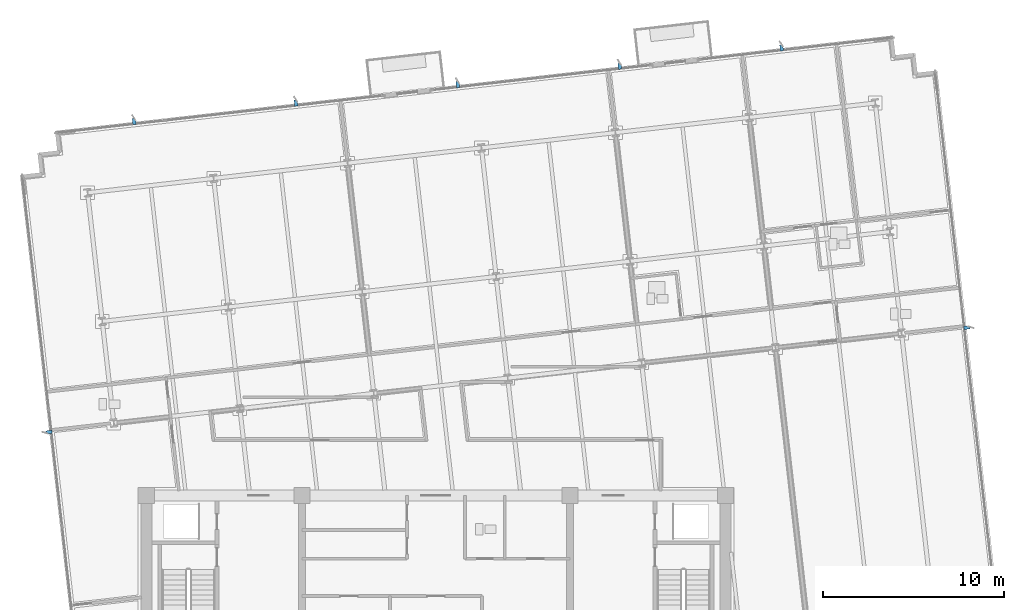
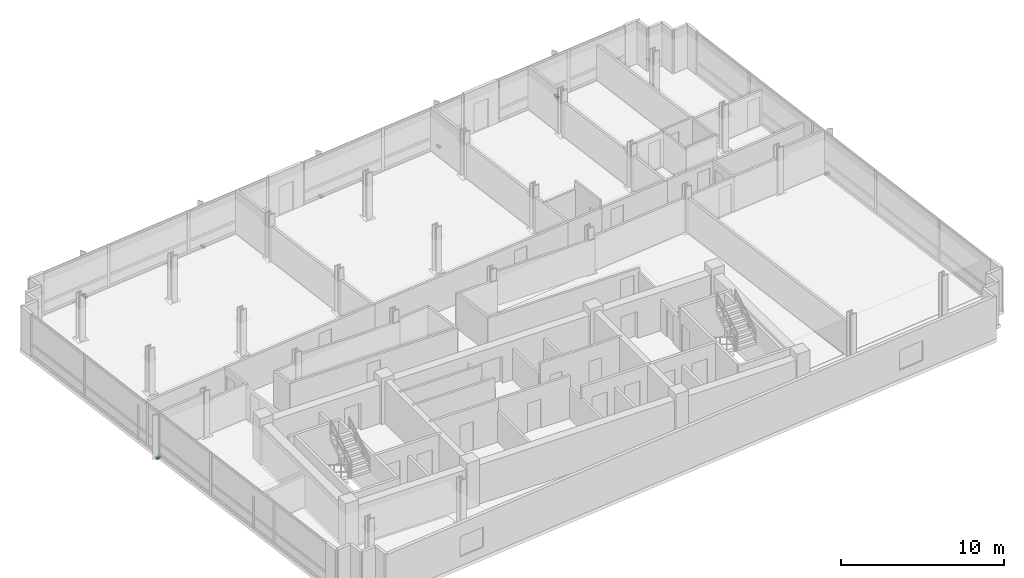
# One storey, part 11 of 16: 7 discrete accessories.
"""IFC4 building model written with IfcOpenShell, lengths in metres."""

from ifc_helpers import new_model, si_unit, direction, frame, origin, origin_2d, place, context, subcontext, project, spatial, rectangle, extrude, material, type_object, element, save


model = new_model("IFC4")

# Units and contexts
model_context = context("Model", 3, precision=1e-05, world=origin(), true_north=direction((0.0, 1.0)))
body_context = subcontext(model_context, "Body", "Model", "MODEL_VIEW")
ifc_project = project(units=[si_unit("LENGTHUNIT", "METRE"), si_unit("AREAUNIT", "SQUARE_METRE"), si_unit("VOLUMEUNIT", "CUBIC_METRE"), si_unit("PLANEANGLEUNIT", "RADIAN"), si_unit("MASSUNIT", "GRAM", prefix="KILO")], contexts=[model_context])

# Site, building, storey
site_placement = place(None, origin())
site = spatial("IfcSite", under=ifc_project, at=site_placement, CompositionType="ELEMENT")
building_placement = place(site_placement, origin())
building = spatial("IfcBuilding", under=site, at=building_placement, Name="Solmavex Isthmus Hotel", CompositionType="ELEMENT")
storey_placement = place(building_placement, frame((0.0, 0.0, 233.10009765625)))
storey = spatial("IfcBuildingStorey", under=building, at=storey_placement, Name="L63", CompositionType="ELEMENT", Elevation=233.10009765625)

# Discrete accessories
ifc_material = material(Name="Steel ASTM A572 Grade 50", Category="steel")
discrete_accessory_type = type_object("IfcDiscreteAccessoryType", Name="ACC-BRK-FIN", PredefinedType="BRACKET", material=ifc_material)
for number, where, z_axis, x_axis, name in (
    (1, (-16.675048828125, 18.161376953125, -0.169921875), (0.0, 0.0, 1.0), (-0.113203213768, 0.993571855677, 0.0), "Facade Fin Support Bracket L63-N1"),
    (2, (-7.73291015625, 19.18017578125, -0.169921875), (0.0, 0.0, 1.0), (-0.113203213768, 0.993571855677, 0.0), "Facade Fin Support Bracket L63-N2"),
    (3, (1.209228515625, 20.198974609375, -0.169921875), (0.0, 0.0, 1.0), (-0.113203213768, 0.993571855677, 0.0), "Facade Fin Support Bracket L63-N3"),
    (4, (10.1513671875, 21.218017578125, -0.169921875), (0.0, 0.0, 1.0), (-0.113203213768, 0.993571855677, 0.0), "Facade Fin Support Bracket L63-N4"),
    (5, (19.093505859375, 22.23681640625, -0.169921875), (0.0, 0.0, 1.0), (-0.113203213768, 0.993571855677, 0.0), "Facade Fin Support Bracket L63-N5"),
    (6, (-21.38232421875, 0.998291015625, -0.169921875), (0.0, 0.0, 1.0), (-0.993571855677, -0.113203213768, 0.0), "Facade Fin Support Bracket L63-W1"),
    (7, (29.32958984375, 6.776123046875, -0.169921875), (0.0, 0.0, 1.0), (0.993571855677, 0.113203213768, 0.0), "Facade Fin Support Bracket L63-E1"),
):
    element("IfcDiscreteAccessory", number, at=place(storey_placement, frame(where, z_axis=z_axis, x_axis=x_axis)), inside=storey, type_object=discrete_accessory_type, Name=name, PredefinedType="BRACKET", context=body_context, shape_type="SweptSolid", body=[
        extrude(rectangle(XDim=0.340087890625, YDim=0.179931640625, at=origin_2d()), origin(), (0.0, 0.0, 1.0), 0.159912109375),
    ])

save(model, "model.ifc")
